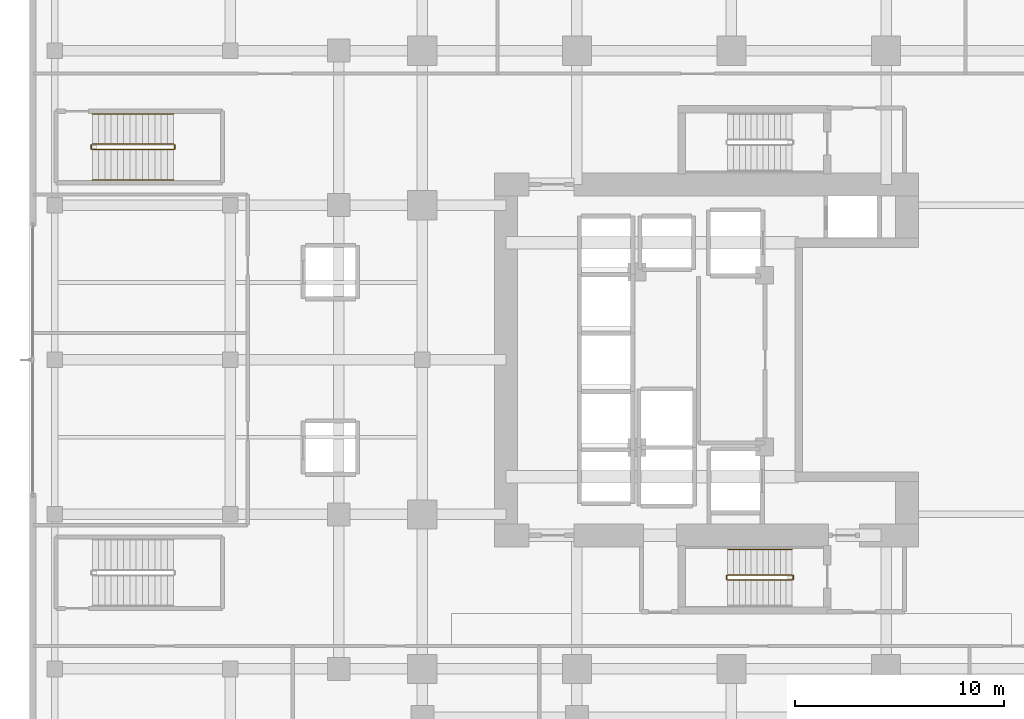
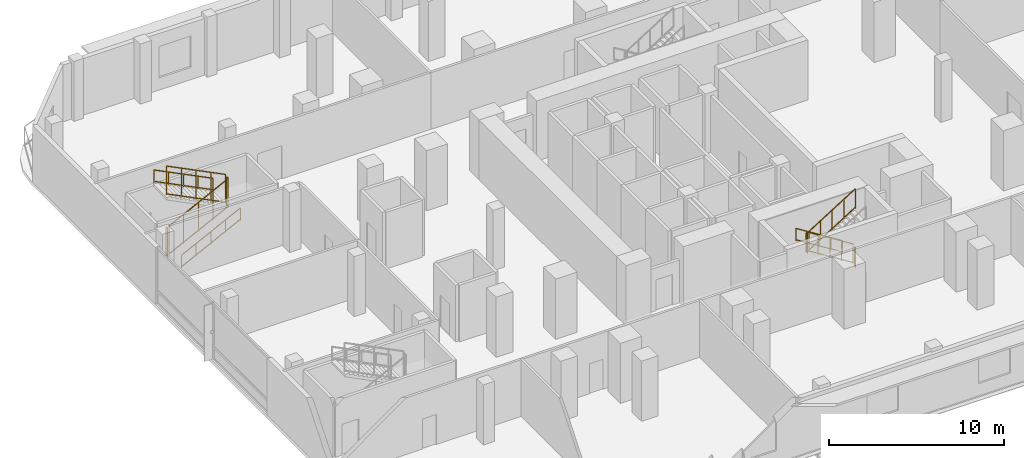
# One storey, part 15 of 19: 11 railings.
"""IFC4 building model written with IfcOpenShell, lengths in metres."""

from ifc_helpers import new_model, si_unit, direction, frame, origin, origin_2d, place, context, subcontext, project, spatial, rectangle, extrude, material, type_object, element, save


model = new_model("IFC4")

# Units and contexts
model_context = context("Model", 3, precision=1e-05, world=origin(), true_north=direction((0.0, 1.0)))
body_context = subcontext(model_context, "Body", "Model", "MODEL_VIEW")
ifc_project = project(units=[si_unit("LENGTHUNIT", "METRE"), si_unit("AREAUNIT", "SQUARE_METRE"), si_unit("VOLUMEUNIT", "CUBIC_METRE"), si_unit("PLANEANGLEUNIT", "RADIAN"), si_unit("MASSUNIT", "GRAM", prefix="KILO")], contexts=[model_context])

# Site, building, storey
site_placement = place(None, origin())
site = spatial("IfcSite", under=ifc_project, at=site_placement, CompositionType="ELEMENT")
building_placement = place(site_placement, origin())
building = spatial("IfcBuilding", under=site, at=building_placement, Name="Khorvyn Point Tower", CompositionType="ELEMENT")
storey_placement = place(building_placement, frame((0.0, 0.0, 13.199951171875)))
storey = spatial("IfcBuildingStorey", under=building, at=storey_placement, Name="L04", CompositionType="ELEMENT", Elevation=13.199951171875)

# Railings
ifc_material = material(Name="Stainless steel 1.4301", Category="steel")
railing_type_1 = type_object("IfcRailingType", Name="Stainless Steel 304 Stair Pitch Handrail 900", PredefinedType="HANDRAIL", material=ifc_material)
railing_1_placement = place(storey_placement, frame((2.89990234375, -9.070068359375, 0.175048828125)))
element("IfcRailing", 1, at=railing_1_placement, inside=storey, type_object=railing_type_1, Name="L04 ST-01 stair handrail 1", PredefinedType="HANDRAIL", context=body_context, shape_type="SweptSolid", body=[
    extrude(rectangle(XDim=0.048095703125, YDim=0.048095703125, at=origin_2d()), frame((0.0, 0.0, 0.8759765625), z_axis=(-0.847979421464, 0.0, 0.530029150871), x_axis=(0.0, -1.0, 0.0)), (0.0, 0.0, 1.0), 3.632080078125),
    extrude(rectangle(XDim=0.048095703125, YDim=0.048095703125, at=origin_2d()), frame((0.0, 0.0, 0.080078125), z_axis=(-0.847979421464, 0.0, 0.530029150871), x_axis=(0.0, -1.0, 0.0)), (0.0, 0.0, 1.0), 3.632080078125),
    extrude(rectangle(XDim=0.0419921875, YDim=0.0419921875, at=origin_2d()), origin(), (0.0, 0.0, 1.0), 0.851806640625),
    extrude(rectangle(XDim=0.0419921875, YDim=0.0419921875, at=origin_2d()), frame((-0.77001953125, 0.0, 0.481201171875)), (0.0, 0.0, 1.0), 0.851806640625),
    extrude(rectangle(XDim=0.0419921875, YDim=0.0419921875, at=origin_2d()), frame((-1.5400390625, 0.0, 0.96240234375)), (0.0, 0.0, 1.0), 0.851806640625),
    extrude(rectangle(XDim=0.0419921875, YDim=0.0419921875, at=origin_2d()), frame((-2.309814453125, 0.0, 1.44384765625)), (0.0, 0.0, 1.0), 0.851806640625),
    extrude(rectangle(XDim=0.0419921875, YDim=0.0419921875, at=origin_2d()), frame((-3.079833984375, 0.0, 1.925048828125)), (0.0, 0.0, 1.0), 0.851806640625),
])
railing_2_placement = place(storey_placement, frame((-30.60009765625, 8.610107421875, 0.150146484375)))
element("IfcRailing", 2, at=railing_2_placement, inside=storey, type_object=railing_type_1, Name="L04 ST-S2 stair handrail 1", PredefinedType="HANDRAIL", context=body_context, shape_type="SweptSolid", body=[
    extrude(rectangle(XDim=0.048095703125, YDim=0.048095703125, at=origin_2d()), frame((0.0, 0.0, 0.8759765625), z_axis=(0.894438388696, 0.0, 0.447191199406), x_axis=(0.0, 1.0, 0.0)), (0.0, 0.0, 1.0), 4.3603515625),
    extrude(rectangle(XDim=0.048095703125, YDim=0.048095703125, at=origin_2d()), frame((0.0, 0.0, 0.080078125), z_axis=(0.894438388696, 0.0, 0.447191199406), x_axis=(0.0, 1.0, 0.0)), (0.0, 0.0, 1.0), 4.3603515625),
    extrude(rectangle(XDim=0.0419921875, YDim=0.0419921875, at=origin_2d()), origin(), (0.0, 0.0, 1.0), 0.851806640625),
    extrude(rectangle(XDim=0.0419921875, YDim=0.0419921875, at=origin_2d()), frame((0.97509765625, 0.0, 0.487548828125)), (0.0, 0.0, 1.0), 0.851806640625),
    extrude(rectangle(XDim=0.0419921875, YDim=0.0419921875, at=origin_2d()), frame((1.9501953125, 0.0, 0.97509765625)), (0.0, 0.0, 1.0), 0.851806640625),
    extrude(rectangle(XDim=0.0419921875, YDim=0.0419921875, at=origin_2d()), frame((2.925048828125, 0.0, 1.46240234375)), (0.0, 0.0, 1.0), 0.851806640625),
    extrude(rectangle(XDim=0.0419921875, YDim=0.0419921875, at=origin_2d()), frame((3.900146484375, 0.0, 1.949951171875)), (0.0, 0.0, 1.0), 0.851806640625),
])
railing_3_placement = place(storey_placement, frame((-26.699951171875, 11.77001953125, 2.25)))
element("IfcRailing", 3, at=railing_3_placement, inside=storey, type_object=railing_type_1, Name="L04 ST-S2 stair handrail 2", PredefinedType="HANDRAIL", context=body_context, shape_type="SweptSolid", body=[
    extrude(rectangle(XDim=0.048095703125, YDim=0.048095703125, at=origin_2d()), frame((0.0, 0.0, 0.8759765625), z_axis=(-0.894438388696, 0.0, 0.447191199406), x_axis=(0.0, -1.0, 0.0)), (0.0, 0.0, 1.0), 4.3603515625),
    extrude(rectangle(XDim=0.048095703125, YDim=0.048095703125, at=origin_2d()), frame((0.0, 0.0, 0.080078125), z_axis=(-0.894438388696, 0.0, 0.447191199406), x_axis=(0.0, -1.0, 0.0)), (0.0, 0.0, 1.0), 4.3603515625),
    extrude(rectangle(XDim=0.0419921875, YDim=0.0419921875, at=origin_2d()), origin(), (0.0, 0.0, 1.0), 0.851806640625),
    extrude(rectangle(XDim=0.0419921875, YDim=0.0419921875, at=origin_2d()), frame((-0.97509765625, 0.0, 0.487548828125)), (0.0, 0.0, 1.0), 0.851806640625),
    extrude(rectangle(XDim=0.0419921875, YDim=0.0419921875, at=origin_2d()), frame((-1.9501953125, 0.0, 0.97509765625)), (0.0, 0.0, 1.0), 0.851806640625),
    extrude(rectangle(XDim=0.0419921875, YDim=0.0419921875, at=origin_2d()), frame((-2.925048828125, 0.0, 1.46240234375)), (0.0, 0.0, 1.0), 0.851806640625),
    extrude(rectangle(XDim=0.0419921875, YDim=0.0419921875, at=origin_2d()), frame((-3.900146484375, 0.0, 1.949951171875)), (0.0, 0.0, 1.0), 0.851806640625),
])
railing_type_2 = type_object("IfcRailingType", Name="Stainless Steel 304 Stair Well Guardrail 1400", PredefinedType="GUARDRAIL", material=ifc_material)
railing_4_placement = place(storey_placement, frame((2.89990234375, -10.2900390625, 0.175048828125)))
element("IfcRailing", 4, at=railing_4_placement, inside=storey, type_object=railing_type_2, Name="L04 ST-01 stair guard 1", PredefinedType="GUARDRAIL", context=body_context, shape_type="SweptSolid", body=[
    extrude(rectangle(XDim=0.048095703125, YDim=0.048095703125, at=origin_2d()), frame((0.0, 0.0, 1.3759765625), z_axis=(-0.847979421464, 0.0, 0.530029150871), x_axis=(0.0, -1.0, 0.0)), (0.0, 0.0, 1.0), 3.632080078125),
    extrude(rectangle(XDim=0.048095703125, YDim=0.048095703125, at=origin_2d()), frame((0.0, 0.0, 0.080078125), z_axis=(-0.847979421464, 0.0, 0.530029150871), x_axis=(0.0, -1.0, 0.0)), (0.0, 0.0, 1.0), 3.632080078125),
    extrude(rectangle(XDim=0.0419921875, YDim=0.0419921875, at=origin_2d()), origin(), (0.0, 0.0, 1.0), 1.351806640625),
    extrude(rectangle(XDim=0.0419921875, YDim=0.0419921875, at=origin_2d()), frame((-0.77001953125, 0.0, 0.481201171875)), (0.0, 0.0, 1.0), 1.351806640625),
    extrude(rectangle(XDim=0.0419921875, YDim=0.0419921875, at=origin_2d()), frame((-1.5400390625, 0.0, 0.96240234375)), (0.0, 0.0, 1.0), 1.351806640625),
    extrude(rectangle(XDim=0.0419921875, YDim=0.0419921875, at=origin_2d()), frame((-2.309814453125, 0.0, 1.44384765625)), (0.0, 0.0, 1.0), 1.351806640625),
    extrude(rectangle(XDim=0.0419921875, YDim=0.0419921875, at=origin_2d()), frame((-3.079833984375, 0.0, 1.925048828125)), (0.0, 0.0, 1.0), 1.351806640625),
])
railing_5_placement = place(storey_placement, frame((-0.22998046875, -10.340087890625, 2.10009765625)))
element("IfcRailing", 5, at=railing_5_placement, inside=storey, type_object=railing_type_2, Name="L04 ST-01 stair guard 2", PredefinedType="GUARDRAIL", context=body_context, shape_type="SweptSolid", body=[
    extrude(rectangle(XDim=0.048095703125, YDim=0.048095703125, at=origin_2d()), frame((0.0, 0.0, 1.3759765625), z_axis=(0.0, -1.0, 0.0), x_axis=(1.0, 0.0, 0.0)), (0.0, 0.0, 1.0), 0.159912109375),
    extrude(rectangle(XDim=0.048095703125, YDim=0.048095703125, at=origin_2d()), frame((0.0, 0.0, 0.080078125), z_axis=(0.0, -1.0, 0.0), x_axis=(1.0, 0.0, 0.0)), (0.0, 0.0, 1.0), 0.159912109375),
    extrude(rectangle(XDim=0.0419921875, YDim=0.0419921875, at=origin_2d()), origin(), (0.0, 0.0, 1.0), 1.351806640625),
    extrude(rectangle(XDim=0.0419921875, YDim=0.0419921875, at=origin_2d()), frame((0.0, -0.159912109375, 0.0)), (0.0, 0.0, 1.0), 1.351806640625),
])
railing_6_placement = place(storey_placement, frame((-0.179931640625, -10.550048828125, 2.275146484375)))
element("IfcRailing", 6, at=railing_6_placement, inside=storey, type_object=railing_type_2, Name="L04 ST-01 stair guard 3", PredefinedType="GUARDRAIL", context=body_context, shape_type="SweptSolid", body=[
    extrude(rectangle(XDim=0.048095703125, YDim=0.048095703125, at=origin_2d()), frame((0.0, 0.0, 1.3759765625), z_axis=(0.848009633417, 0.0, 0.529980812513), x_axis=(0.0, 1.0, 0.0)), (0.0, 0.0, 1.0), 3.6318359375),
    extrude(rectangle(XDim=0.048095703125, YDim=0.048095703125, at=origin_2d()), frame((0.0, 0.0, 0.080078125), z_axis=(0.848009633417, 0.0, 0.529980812513), x_axis=(0.0, 1.0, 0.0)), (0.0, 0.0, 1.0), 3.6318359375),
    extrude(rectangle(XDim=0.0419921875, YDim=0.0419921875, at=origin_2d()), origin(), (0.0, 0.0, 1.0), 1.351806640625),
    extrude(rectangle(XDim=0.0419921875, YDim=0.0419921875, at=origin_2d()), frame((0.77001953125, 0.0, 0.481201171875)), (0.0, 0.0, 1.0), 1.351806640625),
    extrude(rectangle(XDim=0.0419921875, YDim=0.0419921875, at=origin_2d()), frame((1.5400390625, 0.0, 0.96240234375)), (0.0, 0.0, 1.0), 1.351806640625),
    extrude(rectangle(XDim=0.0419921875, YDim=0.0419921875, at=origin_2d()), frame((2.309814453125, 0.0, 1.443603515625)), (0.0, 0.0, 1.0), 1.351806640625),
    extrude(rectangle(XDim=0.0419921875, YDim=0.0419921875, at=origin_2d()), frame((3.079833984375, 0.0, 1.9248046875)), (0.0, 0.0, 1.0), 1.351806640625),
])
railing_7_placement = place(storey_placement, frame((2.949951171875, -10.340087890625, 0.0)))
element("IfcRailing", 7, at=railing_7_placement, inside=storey, type_object=railing_type_2, Name="L04 ST-01 stair guard 4", PredefinedType="GUARDRAIL", context=body_context, shape_type="SweptSolid", body=[
    extrude(rectangle(XDim=0.048095703125, YDim=0.048095703125, at=origin_2d()), frame((0.0, 0.0, 1.3759765625), z_axis=(0.0, -1.0, 0.0), x_axis=(1.0, 0.0, 0.0)), (0.0, 0.0, 1.0), 0.159912109375),
    extrude(rectangle(XDim=0.048095703125, YDim=0.048095703125, at=origin_2d()), frame((0.0, 0.0, 0.080078125), z_axis=(0.0, -1.0, 0.0), x_axis=(1.0, 0.0, 0.0)), (0.0, 0.0, 1.0), 0.159912109375),
    extrude(rectangle(XDim=0.0419921875, YDim=0.0419921875, at=origin_2d()), origin(), (0.0, 0.0, 1.0), 1.351806640625),
    extrude(rectangle(XDim=0.0419921875, YDim=0.0419921875, at=origin_2d()), frame((0.0, -0.159912109375, 0.0)), (0.0, 0.0, 1.0), 1.351806640625),
])
railing_8_placement = place(storey_placement, frame((-30.60009765625, 10.06005859375, 0.150146484375)))
element("IfcRailing", 8, at=railing_8_placement, inside=storey, type_object=railing_type_2, Name="L04 ST-S2 stair guard 1", PredefinedType="GUARDRAIL", context=body_context, shape_type="SweptSolid", body=[
    extrude(rectangle(XDim=0.048095703125, YDim=0.048095703125, at=origin_2d()), frame((0.0, 0.0, 2.02587890625), z_axis=(0.894438388696, 0.0, 0.447191199406), x_axis=(0.0, 1.0, 0.0)), (0.0, 0.0, 1.0), 4.3603515625),
    extrude(rectangle(XDim=0.048095703125, YDim=0.048095703125, at=origin_2d()), frame((0.0, 0.0, 0.080078125), z_axis=(0.894438388696, 0.0, 0.447191199406), x_axis=(0.0, 1.0, 0.0)), (0.0, 0.0, 1.0), 4.3603515625),
    extrude(rectangle(XDim=0.0419921875, YDim=0.0419921875, at=origin_2d()), origin(), (0.0, 0.0, 1.0), 2.001953125),
    extrude(rectangle(XDim=0.0419921875, YDim=0.0419921875, at=origin_2d()), frame((0.97509765625, 0.0, 0.487548828125)), (0.0, 0.0, 1.0), 2.001953125),
    extrude(rectangle(XDim=0.0419921875, YDim=0.0419921875, at=origin_2d()), frame((1.9501953125, 0.0, 0.97509765625)), (0.0, 0.0, 1.0), 2.001953125),
    extrude(rectangle(XDim=0.0419921875, YDim=0.0419921875, at=origin_2d()), frame((2.925048828125, 0.0, 1.46240234375)), (0.0, 0.0, 1.0), 2.001953125),
    extrude(rectangle(XDim=0.0419921875, YDim=0.0419921875, at=origin_2d()), frame((3.900146484375, 0.0, 1.949951171875)), (0.0, 0.0, 1.0), 2.001953125),
])
railing_9_placement = place(storey_placement, frame((-26.64990234375, 10.110107421875, 2.10009765625)))
element("IfcRailing", 9, at=railing_9_placement, inside=storey, type_object=railing_type_2, Name="L04 ST-S2 stair guard 2", PredefinedType="GUARDRAIL", context=body_context, shape_type="SweptSolid", body=[
    extrude(rectangle(XDim=0.048095703125, YDim=0.048095703125, at=origin_2d()), frame((0.0, 0.0, 2.02587890625), z_axis=(0.0, 1.0, 0.0), x_axis=(-1.0, 0.0, 0.0)), (0.0, 0.0, 1.0), 0.159912109375),
    extrude(rectangle(XDim=0.048095703125, YDim=0.048095703125, at=origin_2d()), frame((0.0, 0.0, 0.080078125), z_axis=(0.0, 1.0, 0.0), x_axis=(-1.0, 0.0, 0.0)), (0.0, 0.0, 1.0), 0.159912109375),
    extrude(rectangle(XDim=0.0419921875, YDim=0.0419921875, at=origin_2d()), origin(), (0.0, 0.0, 1.0), 2.001953125),
    extrude(rectangle(XDim=0.0419921875, YDim=0.0419921875, at=origin_2d()), frame((0.0, 0.159912109375, 0.0)), (0.0, 0.0, 1.0), 2.001953125),
])
railing_10_placement = place(storey_placement, frame((-26.699951171875, 10.320068359375, 2.25)))
element("IfcRailing", 10, at=railing_10_placement, inside=storey, type_object=railing_type_2, Name="L04 ST-S2 stair guard 3", PredefinedType="GUARDRAIL", context=body_context, shape_type="SweptSolid", body=[
    extrude(rectangle(XDim=0.048095703125, YDim=0.048095703125, at=origin_2d()), frame((0.0, 0.0, 2.02587890625), z_axis=(-0.894438388696, 0.0, 0.447191199406), x_axis=(0.0, -1.0, 0.0)), (0.0, 0.0, 1.0), 4.3603515625),
    extrude(rectangle(XDim=0.048095703125, YDim=0.048095703125, at=origin_2d()), frame((0.0, 0.0, 0.080078125), z_axis=(-0.894438388696, 0.0, 0.447191199406), x_axis=(0.0, -1.0, 0.0)), (0.0, 0.0, 1.0), 4.3603515625),
    extrude(rectangle(XDim=0.0419921875, YDim=0.0419921875, at=origin_2d()), origin(), (0.0, 0.0, 1.0), 2.001953125),
    extrude(rectangle(XDim=0.0419921875, YDim=0.0419921875, at=origin_2d()), frame((-0.97509765625, 0.0, 0.487548828125)), (0.0, 0.0, 1.0), 2.001953125),
    extrude(rectangle(XDim=0.0419921875, YDim=0.0419921875, at=origin_2d()), frame((-1.9501953125, 0.0, 0.97509765625)), (0.0, 0.0, 1.0), 2.001953125),
    extrude(rectangle(XDim=0.0419921875, YDim=0.0419921875, at=origin_2d()), frame((-2.925048828125, 0.0, 1.46240234375)), (0.0, 0.0, 1.0), 2.001953125),
    extrude(rectangle(XDim=0.0419921875, YDim=0.0419921875, at=origin_2d()), frame((-3.900146484375, 0.0, 1.949951171875)), (0.0, 0.0, 1.0), 2.001953125),
])
railing_11_placement = place(storey_placement, frame((-30.64990234375, 10.110107421875, 0.0)))
element("IfcRailing", 11, at=railing_11_placement, inside=storey, type_object=railing_type_2, Name="L04 ST-S2 stair guard 4", PredefinedType="GUARDRAIL", context=body_context, shape_type="SweptSolid", body=[
    extrude(rectangle(XDim=0.048095703125, YDim=0.048095703125, at=origin_2d()), frame((0.0, 0.0, 2.02587890625), z_axis=(0.0, 1.0, 0.0), x_axis=(-1.0, 0.0, 0.0)), (0.0, 0.0, 1.0), 0.159912109375),
    extrude(rectangle(XDim=0.048095703125, YDim=0.048095703125, at=origin_2d()), frame((0.0, 0.0, 0.080078125), z_axis=(0.0, 1.0, 0.0), x_axis=(-1.0, 0.0, 0.0)), (0.0, 0.0, 1.0), 0.159912109375),
    extrude(rectangle(XDim=0.0419921875, YDim=0.0419921875, at=origin_2d()), origin(), (0.0, 0.0, 1.0), 2.001953125),
    extrude(rectangle(XDim=0.0419921875, YDim=0.0419921875, at=origin_2d()), frame((0.0, 0.159912109375, 0.0)), (0.0, 0.0, 1.0), 2.001953125),
])

save(model, "model.ifc")
